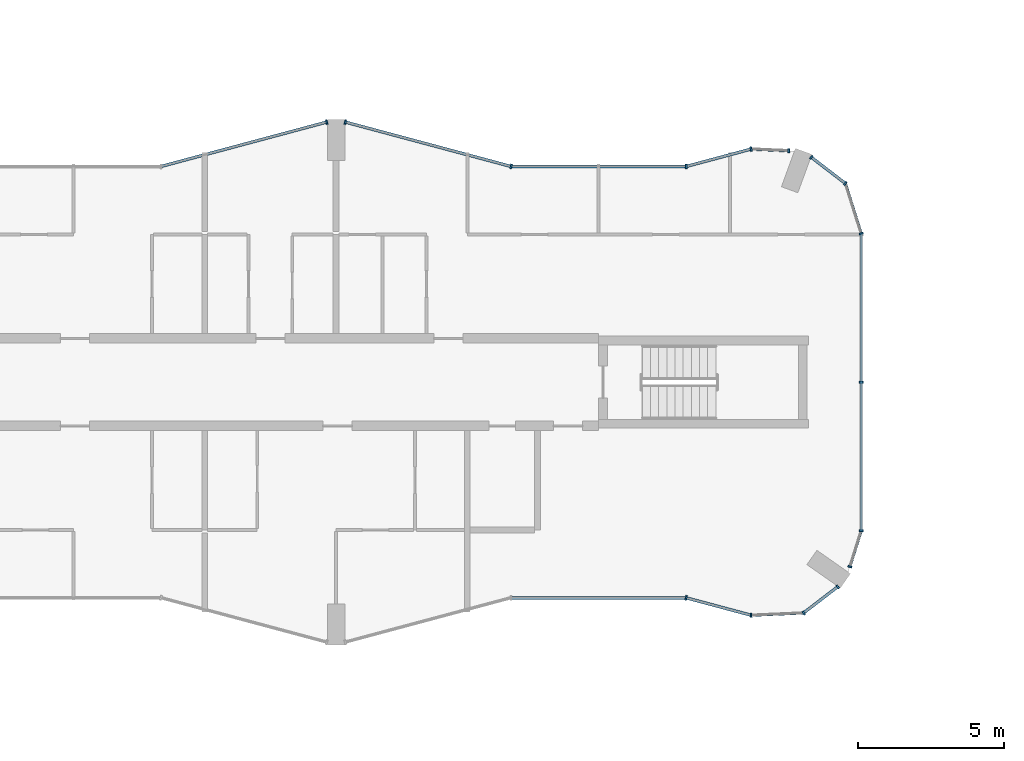
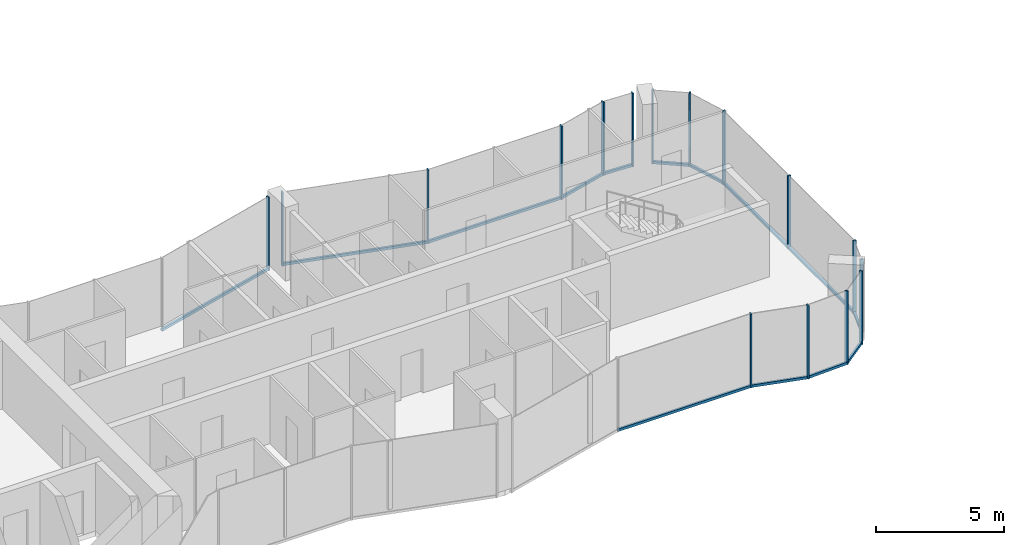
# One storey, part 5 of 23: 29 members, 13 elements without a shape of their own.
"""IFC4 building model written with IfcOpenShell, lengths in metres."""

from ifc_helpers import new_model, si_unit, direction, frame, origin, origin_2d, place, context, subcontext, project, spatial, rectangle, extrude, material, layer, layer_set, material_profile, profile_set, type_object, element, aggregate, save


model = new_model("IFC4")

# Units and contexts
model_context = context("Model", 3, precision=1e-05, world=origin(), true_north=direction((0.0, 1.0)))
body_context = subcontext(model_context, "Body", "Model", "MODEL_VIEW")
ifc_project = project(units=[si_unit("LENGTHUNIT", "METRE"), si_unit("AREAUNIT", "SQUARE_METRE"), si_unit("VOLUMEUNIT", "CUBIC_METRE"), si_unit("PLANEANGLEUNIT", "RADIAN"), si_unit("MASSUNIT", "GRAM", prefix="KILO")], contexts=[model_context])

# Site, building, storey
site_placement = place(None, origin())
site = spatial("IfcSite", under=ifc_project, at=site_placement, CompositionType="ELEMENT")
building_placement = place(site_placement, origin())
building = spatial("IfcBuilding", under=site, at=building_placement, Name="Plateau Cross Towers", CompositionType="ELEMENT")
storey_placement = place(building_placement, frame((0.0, 0.0, 85.300048828125)))
storey = spatial("IfcBuildingStorey", under=building, at=storey_placement, Name="L21", CompositionType="ELEMENT", Elevation=85.300048828125)

# Curtain wall, member
ifc_material_1 = material(Name="Dark low-iron glass", Category="glass")
ifc_layer_1 = layer(ifc_material_1, 0.239990234375)
ifc_layer_set_1 = layer_set([ifc_layer_1], Name="Dark low-iron glass")
curtain_wall_type_1 = type_object("IfcCurtainWallType", Name="Curtain wall flush unitised CW-B", PredefinedType="NOTDEFINED", material=ifc_layer_set_1)
curtain_wall_1_placement = place(storey_placement, origin())
curtain_wall_1 = element("IfcCurtainWall", 1, at=curtain_wall_1_placement, inside=storey, type_object=curtain_wall_type_1, Name="ENV/A/L21/A502_10", PredefinedType="NOTDEFINED")
ifc_material_2 = material(Name="Black anodised aluminium", Category="aluminium")
ifc_material_profile_1 = material_profile(ifc_material_2, rectangle(XDim=0.06005859375, YDim=0.139892578125, at=origin_2d()), Name="MULLION 60x140")
ifc_profile_set_1 = profile_set([ifc_material_profile_1], Name="Black anodised aluminium")
member_type_1 = type_object("IfcMemberType", Name="Mullion 60x140 flush unitised", PredefinedType="MULLION", material=ifc_profile_set_1)
member_1_placement = place(storey_placement, frame((50.223876953125, 1.01123046875, -0.25), z_axis=(0.0, 0.0, 1.0), x_axis=(0.999043701491, 0.043722791671, 0.0)))
member_1 = element("IfcMember", 2, at=member_1_placement, type_object=member_type_1, Name="CW-B mullion 1", PredefinedType="MULLION", context=body_context, shape_type="SweptSolid", body=[
    extrude(rectangle(XDim=0.06005859375, YDim=0.139892578125, at=origin_2d()), origin(), (0.0, 0.0, 1.0), 3.5),
])

# Curtain wall, members
curtain_wall_2_placement = place(storey_placement, origin())
curtain_wall_2 = element("IfcCurtainWall", 3, at=curtain_wall_2_placement, inside=storey, type_object=curtain_wall_type_1, Name="ENV/A/L21/A520_11", PredefinedType="NOTDEFINED")
member_2_placement = place(storey_placement, frame((52.0263671875, 1.090087890625, -0.25), z_axis=(0.0, 0.0, 1.0), x_axis=(0.793315514529, 0.608810721331, 0.0)))
member_2 = element("IfcMember", 4, at=member_2_placement, type_object=member_type_1, Name="CW-B mullion 1", PredefinedType="MULLION", context=body_context, shape_type="SweptSolid", body=[
    extrude(rectangle(XDim=0.06005859375, YDim=0.139892578125, at=origin_2d()), origin(), (0.0, 0.0, 1.0), 3.5),
])
member_3_placement = place(storey_placement, frame((53.193603515625, 1.986083984375, -0.25), z_axis=(0.0, 0.0, 1.0), x_axis=(0.793315514529, 0.608810721331, 0.0)))
member_3 = element("IfcMember", 5, at=member_3_placement, type_object=member_type_1, Name="CW-B mullion 2", PredefinedType="MULLION", context=body_context, shape_type="SweptSolid", body=[
    extrude(rectangle(XDim=0.06005859375, YDim=0.139892578125, at=origin_2d()), origin(), (0.0, 0.0, 1.0), 3.5),
])

# Curtain wall, member
curtain_wall_3_placement = place(storey_placement, origin())
curtain_wall_3 = element("IfcCurtainWall", 6, at=curtain_wall_3_placement, inside=storey, type_object=curtain_wall_type_1, Name="ENV/A/L21/A536_27", PredefinedType="NOTDEFINED")
member_4_placement = place(storey_placement, frame((53.611083984375, 2.67529296875, -0.25), z_axis=(0.0, 0.0, 1.0), x_axis=(0.300686174994, 0.95372313811, 0.0)))
member_4 = element("IfcMember", 7, at=member_4_placement, type_object=member_type_1, Name="CW-B mullion 1", PredefinedType="MULLION", context=body_context, shape_type="SweptSolid", body=[
    extrude(rectangle(XDim=0.06005859375, YDim=0.139892578125, at=origin_2d()), origin(), (0.0, 0.0, 1.0), 3.5),
])

# Curtain wall, members
curtain_wall_4_placement = place(storey_placement, origin())
curtain_wall_4 = element("IfcCurtainWall", 8, at=curtain_wall_4_placement, inside=storey, type_object=curtain_wall_type_1, Name="ENV/A/L21/A540_39", PredefinedType="NOTDEFINED")
member_5_placement = place(storey_placement, frame((54.0, 3.9091796875, -0.25), z_axis=(0.0, 0.0, 1.0), x_axis=(0.0, 1.0, 0.0)))
member_5 = element("IfcMember", 9, at=member_5_placement, type_object=member_type_1, Name="CW-B mullion 1", PredefinedType="MULLION", context=body_context, shape_type="SweptSolid", body=[
    extrude(rectangle(XDim=0.06005859375, YDim=0.139892578125, at=origin_2d()), origin(), (0.0, 0.0, 1.0), 3.5),
])
member_6_placement = place(storey_placement, frame((54.0, 9.0, -0.25), z_axis=(0.0, 0.0, 1.0), x_axis=(0.0, 1.0, 0.0)))
member_6 = element("IfcMember", 10, at=member_6_placement, type_object=member_type_1, Name="CW-B mullion 2", PredefinedType="MULLION", context=body_context, shape_type="SweptSolid", body=[
    extrude(rectangle(XDim=0.06005859375, YDim=0.139892578125, at=origin_2d()), origin(), (0.0, 0.0, 1.0), 3.5),
])

# Curtain wall, member
curtain_wall_5_placement = place(storey_placement, origin())
curtain_wall_5 = element("IfcCurtainWall", 11, at=curtain_wall_5_placement, inside=storey, type_object=curtain_wall_type_1, Name="ENV/A/L21/A540_141", PredefinedType="NOTDEFINED")
member_7_placement = place(storey_placement, frame((54.0, 14.0908203125, -0.25), z_axis=(0.0, 0.0, 1.0), x_axis=(-0.300686174994, 0.95372313811, 0.0)))
member_7 = element("IfcMember", 12, at=member_7_placement, type_object=member_type_1, Name="CW-B mullion 1", PredefinedType="MULLION", context=body_context, shape_type="SweptSolid", body=[
    extrude(rectangle(XDim=0.06005859375, YDim=0.139892578125, at=origin_2d()), origin(), (0.0, 0.0, 1.0), 3.5),
])

# Curtain wall, members
curtain_wall_6_placement = place(storey_placement, origin())
curtain_wall_6 = element("IfcCurtainWall", 13, at=curtain_wall_6_placement, inside=storey, type_object=curtain_wall_type_1, Name="ENV/A/L21/A535_158", PredefinedType="NOTDEFINED")
member_8_placement = place(storey_placement, frame((53.45751953125, 15.8115234375, -0.25), z_axis=(0.0, 0.0, 1.0), x_axis=(-0.793315514529, 0.608810721331, 0.0)))
member_8 = element("IfcMember", 14, at=member_8_placement, type_object=member_type_1, Name="CW-B mullion 1", PredefinedType="MULLION", context=body_context, shape_type="SweptSolid", body=[
    extrude(rectangle(XDim=0.06005859375, YDim=0.139892578125, at=origin_2d()), origin(), (0.0, 0.0, 1.0), 3.5),
])
member_9_placement = place(storey_placement, frame((52.290283203125, 16.707275390625, -0.25), z_axis=(0.0, 0.0, 1.0), x_axis=(-0.793315514529, 0.608810721331, 0.0)))
member_9 = element("IfcMember", 15, at=member_9_placement, type_object=member_type_1, Name="CW-B mullion 2", PredefinedType="MULLION", context=body_context, shape_type="SweptSolid", body=[
    extrude(rectangle(XDim=0.06005859375, YDim=0.139892578125, at=origin_2d()), origin(), (0.0, 0.0, 1.0), 3.5),
])

# Curtain wall, member
curtain_wall_7_placement = place(storey_placement, origin())
curtain_wall_7 = element("IfcCurtainWall", 16, at=curtain_wall_7_placement, inside=storey, type_object=curtain_wall_type_1, Name="ENV/A/L21/A515_169", PredefinedType="NOTDEFINED")
member_10_placement = place(storey_placement, frame((51.516357421875, 16.93212890625, -0.25), z_axis=(0.0, 0.0, 1.0), x_axis=(-0.999043701491, 0.043722791671, 0.0)))
member_10 = element("IfcMember", 17, at=member_10_placement, type_object=member_type_1, Name="CW-B mullion 1", PredefinedType="MULLION", context=body_context, shape_type="SweptSolid", body=[
    extrude(rectangle(XDim=0.06005859375, YDim=0.139892578125, at=origin_2d()), origin(), (0.0, 0.0, 1.0), 3.5),
])

ifc_layer_2 = layer(ifc_material_1, 0.260009765625)
ifc_layer_set_2 = layer_set([ifc_layer_2], Name="Dark low-iron glass")
curtain_wall_type_2 = type_object("IfcCurtainWallType", Name="Curtain wall fluted unitised CW-A", PredefinedType="NOTDEFINED", material=ifc_layer_set_2)
curtain_wall_8_placement = place(storey_placement, origin())
curtain_wall_8 = element("IfcCurtainWall", 18, at=curtain_wall_8_placement, inside=storey, type_object=curtain_wall_type_2, Name="ENV/A/L21/A480_16", PredefinedType="NOTDEFINED")
ifc_material_profile_2 = material_profile(ifc_material_2, rectangle(XDim=0.06005859375, YDim=0.159912109375, at=origin_2d()), Name="MULLION 60x160")
ifc_profile_set_2 = profile_set([ifc_material_profile_2], Name="Black anodised aluminium")
member_type_2 = type_object("IfcMemberType", Name="Mullion 60x160 fluted unitised", PredefinedType="MULLION", material=ifc_profile_set_2)
member_11_placement = place(storey_placement, frame((48.0, 1.60693359375, -0.25), z_axis=(0.0, 0.0, 1.0), x_axis=(0.965957962328, -0.258699081978, 0.0)))
member_11 = element("IfcMember", 19, at=member_11_placement, type_object=member_type_2, Name="CW-A mullion 1", PredefinedType="MULLION", context=body_context, shape_type="SweptSolid", body=[
    extrude(rectangle(XDim=0.06005859375, YDim=0.159912109375, at=origin_2d()), origin(), (0.0, 0.0, 1.0), 3.5),
])

curtain_wall_9_placement = place(storey_placement, origin())
curtain_wall_9 = element("IfcCurtainWall", 20, at=curtain_wall_9_placement, inside=storey, type_object=curtain_wall_type_2, Name="ENV/A/L21/A502_170", PredefinedType="NOTDEFINED")
member_12_placement = place(storey_placement, frame((50.223876953125, 16.98876953125, -0.25), z_axis=(0.0, 0.0, 1.0), x_axis=(-0.965957962328, -0.258699081978, 0.0)))
member_12 = element("IfcMember", 21, at=member_12_placement, type_object=member_type_2, Name="CW-A mullion 1", PredefinedType="MULLION", context=body_context, shape_type="SweptSolid", body=[
    extrude(rectangle(XDim=0.06005859375, YDim=0.159912109375, at=origin_2d()), origin(), (0.0, 0.0, 1.0), 3.5),
])

curtain_wall_10_placement = place(storey_placement, origin())
curtain_wall_10 = element("IfcCurtainWall", 22, at=curtain_wall_10_placement, inside=storey, type_object=curtain_wall_type_2, Name="ENV/A/L21/A480_164", PredefinedType="NOTDEFINED")
member_13_placement = place(storey_placement, frame((48.0, 16.39306640625, -0.25), z_axis=(0.0, 0.0, 1.0), x_axis=(-1.0, 0.0, 0.0)))
member_13 = element("IfcMember", 23, at=member_13_placement, type_object=member_type_2, Name="CW-A mullion 1", PredefinedType="MULLION", context=body_context, shape_type="SweptSolid", body=[
    extrude(rectangle(XDim=0.06005859375, YDim=0.159912109375, at=origin_2d()), origin(), (0.0, 0.0, 1.0), 3.5),
])

# Curtain wall, members
curtain_wall_11_placement = place(storey_placement, origin())
curtain_wall_11 = element("IfcCurtainWall", 24, at=curtain_wall_11_placement, inside=storey, type_object=curtain_wall_type_2, Name="ENV/A/L21/A420_164", PredefinedType="NOTDEFINED")
member_14_placement = place(storey_placement, frame((42.0, 16.39306640625, -0.25), z_axis=(0.0, 0.0, 1.0), x_axis=(-0.965957983404, 0.258699003279, 0.0)))
member_14 = element("IfcMember", 25, at=member_14_placement, type_object=member_type_2, Name="CW-A mullion 1", PredefinedType="MULLION", context=body_context, shape_type="SweptSolid", body=[
    extrude(rectangle(XDim=0.06005859375, YDim=0.159912109375, at=origin_2d()), origin(), (0.0, 0.0, 1.0), 3.5),
])
member_15_placement = place(storey_placement, frame((36.31787109375, 17.914794921875, -0.25), z_axis=(0.0, 0.0, 1.0), x_axis=(-0.965957983404, 0.258699003279, 0.0)))
member_15 = element("IfcMember", 26, at=member_15_placement, type_object=member_type_2, Name="CW-A mullion 2", PredefinedType="MULLION", context=body_context, shape_type="SweptSolid", body=[
    extrude(rectangle(XDim=0.06005859375, YDim=0.159912109375, at=origin_2d()), origin(), (0.0, 0.0, 1.0), 3.5),
])

# Curtain wall, member
curtain_wall_12_placement = place(storey_placement, origin())
curtain_wall_12 = element("IfcCurtainWall", 27, at=curtain_wall_12_placement, inside=storey, type_object=curtain_wall_type_2, Name="ENV/A/L21/A357_179", PredefinedType="NOTDEFINED")
member_16_placement = place(storey_placement, frame((35.68212890625, 17.914794921875, -0.25), z_axis=(0.0, 0.0, 1.0), x_axis=(-0.965957983404, -0.258699003279, 0.0)))
member_16 = element("IfcMember", 28, at=member_16_placement, type_object=member_type_2, Name="CW-A mullion 1", PredefinedType="MULLION", context=body_context, shape_type="SweptSolid", body=[
    extrude(rectangle(XDim=0.06005859375, YDim=0.159912109375, at=origin_2d()), origin(), (0.0, 0.0, 1.0), 3.5),
])

# Member
ifc_material_profile_3 = material_profile(ifc_material_2, rectangle(XDim=0.10009765625, YDim=0.1201171875, at=origin_2d()), Name="TRANSOM 100x120")
ifc_profile_set_3 = profile_set([ifc_material_profile_3], Name="Black anodised aluminium")
member_type_3 = type_object("IfcMemberType", Name="Transom 100x120 flush unitised", PredefinedType="USERDEFINED", material=ifc_profile_set_3)
member_17_placement = place(storey_placement, frame((50.223876953125, 1.01123046875, -0.18994140625), z_axis=(0.999044377355, 0.043707345779, 0.0), x_axis=(-0.043707345779, 0.999044377355, 0.0)))
member_17 = element("IfcMember", 29, at=member_17_placement, type_object=member_type_3, Name="CW-B transom", ObjectType="TRANSOM", PredefinedType="USERDEFINED", context=body_context, shape_type="SweptSolid", body=[
    extrude(rectangle(XDim=0.10009765625, YDim=0.1201171875, at=origin_2d()), origin(), (0.0, 0.0, 1.0), 1.80419921875),
])

aggregate(curtain_wall_1, [member_1, member_17])

member_18_placement = place(storey_placement, frame((52.0263671875, 1.090087890625, -0.18994140625), z_axis=(0.793240368515, 0.608908628415, 0.0), x_axis=(-0.608908628415, 0.793240368515, 0.0)))
member_18 = element("IfcMember", 30, at=member_18_placement, type_object=member_type_3, Name="CW-B transom", ObjectType="TRANSOM", PredefinedType="USERDEFINED", context=body_context, shape_type="SweptSolid", body=[
    extrude(rectangle(XDim=0.10009765625, YDim=0.1201171875, at=origin_2d()), origin(), (0.0, 0.0, 1.0), 1.471435546875),
])

aggregate(curtain_wall_2, [member_2, member_3, member_18])

member_19_placement = place(storey_placement, frame((53.611083984375, 2.67529296875, -0.18994140625), z_axis=(0.300616528216, 0.953745093284, 0.0), x_axis=(-0.953745093284, 0.300616528216, 0.0)))
member_19 = element("IfcMember", 31, at=member_19_placement, type_object=member_type_3, Name="CW-B transom", ObjectType="TRANSOM", PredefinedType="USERDEFINED", context=body_context, shape_type="SweptSolid", body=[
    extrude(rectangle(XDim=0.10009765625, YDim=0.1201171875, at=origin_2d()), origin(), (0.0, 0.0, 1.0), 1.293701171875),
])

aggregate(curtain_wall_3, [member_4, member_19])

member_20_placement = place(storey_placement, frame((54.0, 3.9091796875, -0.18994140625), z_axis=(0.0, 1.0, 0.0), x_axis=(-1.0, 0.0, 0.0)))
member_20 = element("IfcMember", 32, at=member_20_placement, type_object=member_type_3, Name="CW-B transom", ObjectType="TRANSOM", PredefinedType="USERDEFINED", context=body_context, shape_type="SweptSolid", body=[
    extrude(rectangle(XDim=0.10009765625, YDim=0.1201171875, at=origin_2d()), origin(), (0.0, 0.0, 1.0), 10.181640625),
])

aggregate(curtain_wall_4, [member_5, member_6, member_20])

member_21_placement = place(storey_placement, frame((54.0, 14.0908203125, -0.18994140625), z_axis=(-0.30067799945, 0.953725715626, 0.0), x_axis=(-0.953725715626, -0.30067799945, 0.0)))
member_21 = element("IfcMember", 33, at=member_21_placement, type_object=member_type_3, Name="CW-B transom", ObjectType="TRANSOM", PredefinedType="USERDEFINED", context=body_context, shape_type="SweptSolid", body=[
    extrude(rectangle(XDim=0.10009765625, YDim=0.1201171875, at=origin_2d()), origin(), (0.0, 0.0, 1.0), 1.80419921875),
])

aggregate(curtain_wall_5, [member_7, member_21])

member_22_placement = place(storey_placement, frame((53.45751953125, 15.8115234375, -0.18994140625), z_axis=(-0.793320508571, 0.608804213751, 0.0), x_axis=(-0.608804213751, -0.793320508571, 0.0)))
member_22 = element("IfcMember", 34, at=member_22_placement, type_object=member_type_3, Name="CW-B transom", ObjectType="TRANSOM", PredefinedType="USERDEFINED", context=body_context, shape_type="SweptSolid", body=[
    extrude(rectangle(XDim=0.10009765625, YDim=0.1201171875, at=origin_2d()), origin(), (0.0, 0.0, 1.0), 1.471435546875),
])

aggregate(curtain_wall_6, [member_8, member_9, member_22])

member_23_placement = place(storey_placement, frame((51.516357421875, 16.93212890625, -0.18994140625), z_axis=(-0.999041144614, 0.043781175963, 0.0), x_axis=(-0.043781175963, -0.999041144614, 0.0)))
member_23 = element("IfcMember", 35, at=member_23_placement, type_object=member_type_3, Name="CW-B transom", ObjectType="TRANSOM", PredefinedType="USERDEFINED", context=body_context, shape_type="SweptSolid", body=[
    extrude(rectangle(XDim=0.10009765625, YDim=0.1201171875, at=origin_2d()), origin(), (0.0, 0.0, 1.0), 1.293701171875),
])

aggregate(curtain_wall_7, [member_10, member_23])

# Curtain wall, member
curtain_wall_13_placement = place(storey_placement, origin())
curtain_wall_13 = element("IfcCurtainWall", 36, at=curtain_wall_13_placement, inside=storey, type_object=curtain_wall_type_2, Name="ENV/A/L21/A420_16", PredefinedType="NOTDEFINED")
ifc_material_profile_4 = material_profile(ifc_material_2, rectangle(XDim=0.10009765625, YDim=0.1201171875, at=origin_2d()), Name="TRANSOM 100x120")
ifc_profile_set_4 = profile_set([ifc_material_profile_4], Name="Black anodised aluminium")
member_type_4 = type_object("IfcMemberType", Name="Transom 100x120 fluted unitised", PredefinedType="USERDEFINED", material=ifc_profile_set_4)
member_24_placement = place(storey_placement, frame((42.0, 1.60693359375, -0.18994140625), z_axis=(1.0, 0.0, 0.0), x_axis=(0.0, 1.0, 0.0)))
member_24 = element("IfcMember", 37, at=member_24_placement, type_object=member_type_4, Name="CW-A transom", ObjectType="TRANSOM", PredefinedType="USERDEFINED", context=body_context, shape_type="SweptSolid", body=[
    extrude(rectangle(XDim=0.10009765625, YDim=0.1201171875, at=origin_2d()), origin(), (0.0, 0.0, 1.0), 6.0),
])
aggregate(curtain_wall_13, [member_24])

# Member
member_25_placement = place(storey_placement, frame((48.0, 1.60693359375, -0.18994140625), z_axis=(0.965945685136, -0.258744919501, 0.0), x_axis=(0.258744919501, 0.965945685136, 0.0)))
member_25 = element("IfcMember", 38, at=member_25_placement, type_object=member_type_4, Name="CW-A transom", ObjectType="TRANSOM", PredefinedType="USERDEFINED", context=body_context, shape_type="SweptSolid", body=[
    extrude(rectangle(XDim=0.10009765625, YDim=0.1201171875, at=origin_2d()), origin(), (0.0, 0.0, 1.0), 2.30224609375),
])

aggregate(curtain_wall_8, [member_11, member_25])

member_26_placement = place(storey_placement, frame((50.223876953125, 16.98876953125, -0.18994140625), z_axis=(-0.965945685136, -0.258744919501, 0.0), x_axis=(0.258744919501, -0.965945685136, 0.0)))
member_26 = element("IfcMember", 39, at=member_26_placement, type_object=member_type_4, Name="CW-A transom", ObjectType="TRANSOM", PredefinedType="USERDEFINED", context=body_context, shape_type="SweptSolid", body=[
    extrude(rectangle(XDim=0.10009765625, YDim=0.1201171875, at=origin_2d()), origin(), (0.0, 0.0, 1.0), 2.30224609375),
])

aggregate(curtain_wall_9, [member_12, member_26])

member_27_placement = place(storey_placement, frame((48.0, 16.39306640625, -0.18994140625), z_axis=(-1.0, 0.0, 0.0), x_axis=(0.0, -1.0, 0.0)))
member_27 = element("IfcMember", 40, at=member_27_placement, type_object=member_type_4, Name="CW-A transom", ObjectType="TRANSOM", PredefinedType="USERDEFINED", context=body_context, shape_type="SweptSolid", body=[
    extrude(rectangle(XDim=0.10009765625, YDim=0.1201171875, at=origin_2d()), origin(), (0.0, 0.0, 1.0), 6.0),
])

aggregate(curtain_wall_10, [member_13, member_27])

member_28_placement = place(storey_placement, frame((42.0, 16.39306640625, -0.18994140625), z_axis=(-0.965959534794, 0.258693210465, 0.0), x_axis=(-0.258693210465, -0.965959534794, 0.0)))
member_28 = element("IfcMember", 41, at=member_28_placement, type_object=member_type_4, Name="CW-A transom", ObjectType="TRANSOM", PredefinedType="USERDEFINED", context=body_context, shape_type="SweptSolid", body=[
    extrude(rectangle(XDim=0.10009765625, YDim=0.1201171875, at=origin_2d()), origin(), (0.0, 0.0, 1.0), 5.88232421875),
])

aggregate(curtain_wall_11, [member_14, member_15, member_28])

member_29_placement = place(storey_placement, frame((35.68212890625, 17.914794921875, -0.18994140625), z_axis=(-0.965959534794, -0.258693210465, 0.0), x_axis=(0.258693210465, -0.965959534794, 0.0)))
member_29 = element("IfcMember", 42, at=member_29_placement, type_object=member_type_4, Name="CW-A transom", ObjectType="TRANSOM", PredefinedType="USERDEFINED", context=body_context, shape_type="SweptSolid", body=[
    extrude(rectangle(XDim=0.10009765625, YDim=0.1201171875, at=origin_2d()), origin(), (0.0, 0.0, 1.0), 5.88232421875),
])

aggregate(curtain_wall_12, [member_16, member_29])

save(model, "model.ifc")
